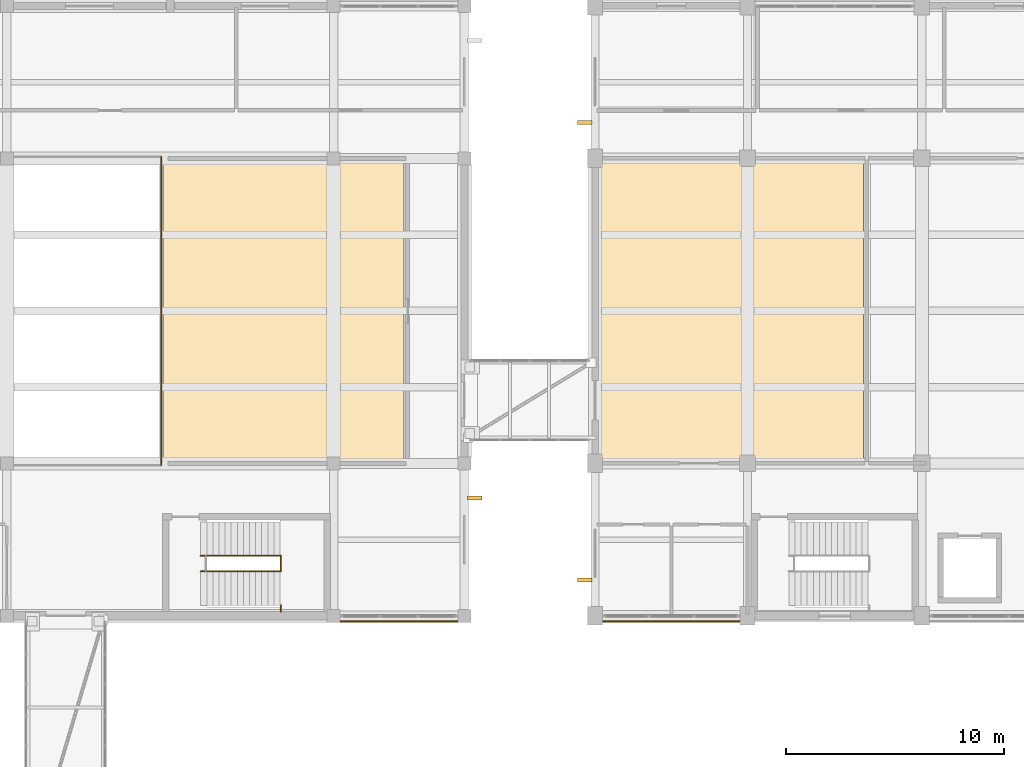
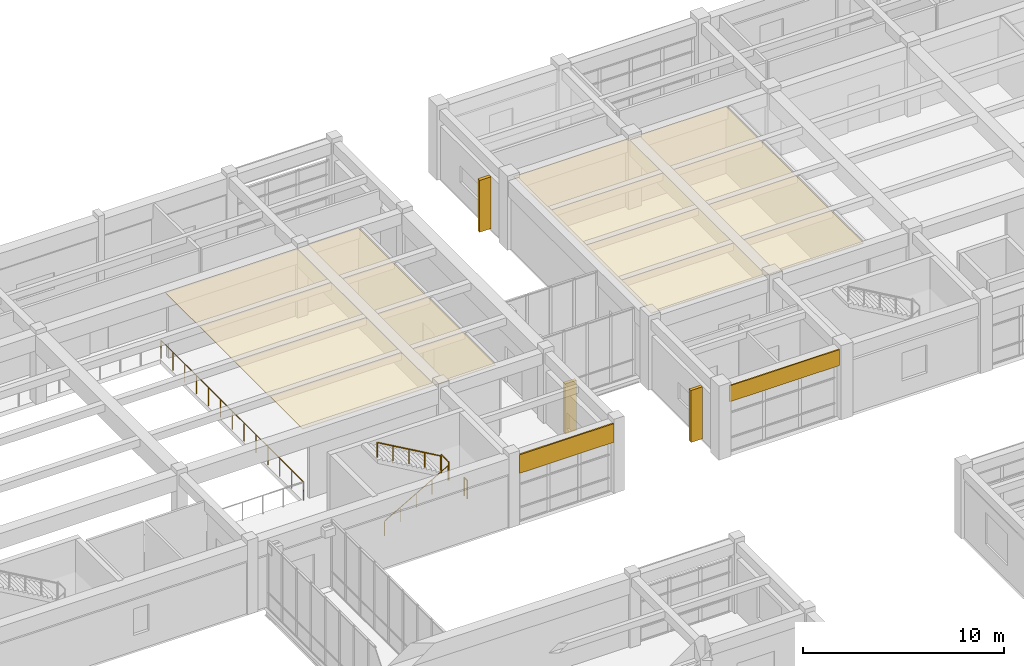
# One storey, part 64 of 72: 5 railings, 4 coverings, 3 shading devices.
"""IFC4 building model written with IfcOpenShell, lengths in metres."""

from ifc_helpers import new_model, si_unit, direction, frame, origin, origin_2d, place, context, subcontext, project, spatial, polyline, rectangle, circle, outline, extrude, material, layer, layer_set, type_object, element, save


model = new_model("IFC4")

# Units and contexts
model_context = context("Model", 3, precision=1e-05, world=origin(), true_north=direction((0.0, 1.0)))
body_context = subcontext(model_context, "Body", "Model", "MODEL_VIEW")
ifc_project = project(units=[si_unit("LENGTHUNIT", "METRE"), si_unit("AREAUNIT", "SQUARE_METRE"), si_unit("VOLUMEUNIT", "CUBIC_METRE"), si_unit("PLANEANGLEUNIT", "RADIAN"), si_unit("MASSUNIT", "GRAM", prefix="KILO")], contexts=[model_context])

# Site, building, storey
site_placement = place(None, origin())
site = spatial("IfcSite", under=ifc_project, at=site_placement, CompositionType="ELEMENT")
building_placement = place(site_placement, origin())
building = spatial("IfcBuilding", under=site, at=building_placement, Name="Naurynzar Civic Courthouse", CompositionType="ELEMENT")
storey_placement = place(building_placement, frame((0.0, 0.0, 9.89990234375)))
storey = spatial("IfcBuildingStorey", under=building, at=storey_placement, Name="L03", CompositionType="ELEMENT", Elevation=9.89990234375)

# Coverings
ifc_material_1 = material(Name="Acoustic Oak Timber Grade A", Category="wood")
ifc_layer_1 = layer(ifc_material_1, 0.044921875)
ifc_layer_set_1 = layer_set([ifc_layer_1], Name="CEIL-ACOUSTIC-OAK-45")
covering_type_1 = type_object("IfcCoveringType", Name="CEIL-ACOUSTIC-OAK-45", PredefinedType="CEILING", material=ifc_layer_set_1)
covering_1_placement = place(storey_placement, frame((0.0, 0.0, 4.114990234375)))
element("IfcCovering", 1, at=covering_1_placement, inside=storey, type_object=covering_type_1, Name="Acoustic suspended ceiling Civil Trial Courtroom 3A", PredefinedType="CEILING", context=body_context, shape_type="SweptSolid", body=[
    extrude(outline(polyline([(74.320068359375, 51.159912109375), (62.159912109375, 51.159912109375), (62.159912109375, 64.840087890625), (74.320068359375, 64.840087890625), (74.320068359375, 51.159912109375)])), origin(), (0.0, 0.0, 1.0), 0.045166015625),
])
ifc_material_2 = material(Name="Mineral Fibre Acoustic Ceiling")
ifc_layer_2 = layer(ifc_material_2, 0.030029296875)
ifc_layer_set_2 = layer_set([ifc_layer_2], Name="CEIL-MINERAL-30")
covering_type_2 = type_object("IfcCoveringType", Name="CEIL-MINERAL-30", PredefinedType="CEILING", material=ifc_layer_set_2)
covering_2_placement = place(storey_placement, frame((0.0, 0.0, 4.114990234375)))
element("IfcCovering", 2, at=covering_2_placement, inside=storey, type_object=covering_type_2, Name="Acoustic suspended ceiling Constitutional Seminar Hall", PredefinedType="CEILING", context=body_context, shape_type="SweptSolid", body=[
    extrude(outline(polyline([(42.159912109375, 64.840087890625), (53.239990234375, 64.840087890625), (53.239990234375, 51.159912109375), (42.159912109375, 51.159912109375), (42.159912109375, 64.840087890625)])), origin(), (0.0, 0.0, 1.0), 0.030029296875),
])
ifc_material_3 = material(Name="Precast concrete C40/50", Category="concrete")
ifc_layer_3 = layer(ifc_material_3, 0.080078125)
ifc_layer_set_3 = layer_set([ifc_layer_3], Name="COV-CLAD-PRECAST-80")
covering_type_3 = type_object("IfcCoveringType", Name="COV-CLAD-PRECAST-80", PredefinedType="CLADDING", material=ifc_layer_set_3)
covering_3_placement = place(storey_placement, frame((53.0, 43.7451171875, 3.110107421875), z_axis=(0.0, 0.0, 1.0), x_axis=(-1.0, 0.0, 0.0)))
element("IfcCovering", 3, at=covering_3_placement, inside=storey, type_object=covering_type_3, Name="V1 precast spandrel cladding 11", PredefinedType="CLADDING", context=body_context, shape_type="SweptSolid", body=[
    extrude(rectangle(XDim=5.39990234375, YDim=0.080078125, at=origin_2d()), origin(), (0.0, 0.0, 1.0), 1.1298828125),
])
covering_4_placement = place(storey_placement, frame((65.5, 43.7451171875, 3.22998046875), z_axis=(0.0, 0.0, 1.0), x_axis=(-1.0, 0.0, 0.0)))
element("IfcCovering", 4, at=covering_4_placement, inside=storey, type_object=covering_type_3, Name="V2 precast spandrel cladding 30", PredefinedType="CLADDING", context=body_context, shape_type="SweptSolid", body=[
    extrude(rectangle(XDim=6.300048828125, YDim=0.080078125, at=origin_2d()), origin(), (0.0, 0.0, 1.0), 0.969970703125),
])

# Railings
ifc_material_4 = material(Name="Brushed Stainless Steel 304", Category="steel")
railing_type_1 = type_object("IfcRailingType", Name="RAIL-BAL-1100", PredefinedType="BALUSTRADE", material=ifc_material_4)
railing_1_placement = place(storey_placement, frame((42.080078125, 50.919921875, 0.0)))
element("IfcRailing", 5, at=railing_1_placement, inside=storey, type_object=railing_type_1, Name="Atrium gallery balustrade guard GR-VOID-V1-L03.2", PredefinedType="BALUSTRADE", context=body_context, shape_type="SweptSolid", body=[
    extrude(circle(Radius=0.02392578125, at=origin_2d()), frame((0.0, 0.0, 1.09619140625), z_axis=(0.0, 1.0, 0.0), x_axis=(-1.0, 0.0, 0.0)), (0.0, 0.0, 1.0), 14.16015625),
    extrude(circle(Radius=0.02099609375, at=origin_2d()), origin(), (0.0, 0.0, 1.0), 1.072021484375),
    extrude(circle(Radius=0.02099609375, at=origin_2d()), frame((0.0, 1.179931640625, 0.0)), (0.0, 0.0, 1.0), 1.072021484375),
    extrude(circle(Radius=0.02099609375, at=origin_2d()), frame((0.0, 2.360107421875, 0.0)), (0.0, 0.0, 1.0), 1.072021484375),
    extrude(circle(Radius=0.02099609375, at=origin_2d()), frame((0.0, 3.5400390625, 0.0)), (0.0, 0.0, 1.0), 1.072021484375),
    extrude(circle(Radius=0.02099609375, at=origin_2d()), frame((0.0, 4.719970703125, 0.0)), (0.0, 0.0, 1.0), 1.072021484375),
    extrude(circle(Radius=0.02099609375, at=origin_2d()), frame((0.0, 5.900146484375, 0.0)), (0.0, 0.0, 1.0), 1.072021484375),
    extrude(circle(Radius=0.02099609375, at=origin_2d()), frame((0.0, 7.080078125, 0.0)), (0.0, 0.0, 1.0), 1.072021484375),
    extrude(circle(Radius=0.02099609375, at=origin_2d()), frame((0.0, 8.260009765625, 0.0)), (0.0, 0.0, 1.0), 1.072021484375),
    extrude(circle(Radius=0.02099609375, at=origin_2d()), frame((0.0, 9.440185546875, 0.0)), (0.0, 0.0, 1.0), 1.072021484375),
    extrude(circle(Radius=0.02099609375, at=origin_2d()), frame((0.0, 10.6201171875, 0.0)), (0.0, 0.0, 1.0), 1.072021484375),
    extrude(circle(Radius=0.02099609375, at=origin_2d()), frame((0.0, 11.800048828125, 0.0)), (0.0, 0.0, 1.0), 1.072021484375),
    extrude(circle(Radius=0.02099609375, at=origin_2d()), frame((0.0, 12.980224609375, 0.0)), (0.0, 0.0, 1.0), 1.072021484375),
    extrude(circle(Radius=0.02099609375, at=origin_2d()), frame((0.0, 14.16015625, 0.0)), (0.0, 0.0, 1.0), 1.072021484375),
])
railing_2_placement = place(storey_placement, frame((47.580078125, 46.0400390625, 2.25)))
element("IfcRailing", 6, at=railing_2_placement, inside=storey, type_object=railing_type_1, Name="Stair ST-V1B-L03 half-landing well guard", PredefinedType="BALUSTRADE", context=body_context, shape_type="SweptSolid", body=[
    extrude(circle(Radius=0.02392578125, at=origin_2d()), frame((0.0, 0.0, 1.09619140625), z_axis=(0.0, 1.0, 0.0), x_axis=(-1.0, 0.0, 0.0)), (0.0, 0.0, 1.0), 0.719970703125),
    extrude(circle(Radius=0.02099609375, at=origin_2d()), origin(), (0.0, 0.0, 1.0), 1.072021484375),
    extrude(circle(Radius=0.02099609375, at=origin_2d()), frame((0.0, 0.719970703125, 0.0)), (0.0, 0.0, 1.0), 1.072021484375),
])
railing_3_placement = place(storey_placement, frame((47.580078125, 44.195068359375, 2.25)))
element("IfcRailing", 7, at=railing_3_placement, inside=storey, type_object=railing_type_1, Name="Stair ST-V1B-L03 half-landing south slot guard", PredefinedType="BALUSTRADE", context=body_context, shape_type="SweptSolid", body=[
    extrude(circle(Radius=0.02392578125, at=origin_2d()), frame((0.0, 0.0, 1.09619140625), z_axis=(0.0, 1.0, 0.0), x_axis=(-1.0, 0.0, 0.0)), (0.0, 0.0, 1.0), 0.284912109375),
    extrude(circle(Radius=0.02099609375, at=origin_2d()), origin(), (0.0, 0.0, 1.0), 1.072021484375),
    extrude(circle(Radius=0.02099609375, at=origin_2d()), frame((0.0, 0.284912109375, 0.0)), (0.0, 0.0, 1.0), 1.072021484375),
])
ifc_material_5 = material(Name="Brushed Stainless Steel 304", Category="steel")
railing_type_2 = type_object("IfcRailingType", Name="RAIL-HR-900", PredefinedType="HANDRAIL", material=ifc_material_5)
railing_4_placement = place(storey_placement, frame((43.89990234375, 46.0400390625, 0.160888671875)))
element("IfcRailing", 8, at=railing_4_placement, inside=storey, type_object=railing_type_2, Name="Stair ST-V1B-L03 flight 1 handrail", PredefinedType="HANDRAIL", context=body_context, shape_type="SweptSolid", body=[
    extrude(circle(Radius=0.02392578125, at=origin_2d()), frame((0.0, 0.0, 0.8759765625), z_axis=(0.867314486057, 0.0, 0.497760567216), x_axis=(0.0, 1.0, 0.0)), (0.0, 0.0, 1.0), 4.197021484375),
    extrude(circle(Radius=0.02099609375, at=origin_2d()), origin(), (0.0, 0.0, 1.0), 0.851806640625),
    extrude(circle(Radius=0.02099609375, at=origin_2d()), frame((0.91015625, 0.0, 0.522216796875)), (0.0, 0.0, 1.0), 0.851806640625),
    extrude(circle(Radius=0.02099609375, at=origin_2d()), frame((1.820068359375, 0.0, 1.04443359375)), (0.0, 0.0, 1.0), 0.851806640625),
    extrude(circle(Radius=0.02099609375, at=origin_2d()), frame((2.72998046875, 0.0, 1.56689453125)), (0.0, 0.0, 1.0), 0.851806640625),
    extrude(circle(Radius=0.02099609375, at=origin_2d()), frame((3.64013671875, 0.0, 2.089111328125)), (0.0, 0.0, 1.0), 0.851806640625),
])
railing_5_placement = place(storey_placement, frame((47.5400390625, 46.760009765625, 2.410888671875)))
element("IfcRailing", 9, at=railing_5_placement, inside=storey, type_object=railing_type_2, Name="Stair ST-V1B-L03 flight 2 handrail", PredefinedType="HANDRAIL", context=body_context, shape_type="SweptSolid", body=[
    extrude(circle(Radius=0.02392578125, at=origin_2d()), frame((0.0, 0.0, 0.8759765625), z_axis=(-0.867314486057, 0.0, 0.497760567216), x_axis=(0.0, -1.0, 0.0)), (0.0, 0.0, 1.0), 4.197021484375),
    extrude(circle(Radius=0.02099609375, at=origin_2d()), origin(), (0.0, 0.0, 1.0), 0.851806640625),
    extrude(circle(Radius=0.02099609375, at=origin_2d()), frame((-0.91015625, 0.0, 0.522216796875)), (0.0, 0.0, 1.0), 0.851806640625),
    extrude(circle(Radius=0.02099609375, at=origin_2d()), frame((-1.820068359375, 0.0, 1.04443359375)), (0.0, 0.0, 1.0), 0.851806640625),
    extrude(circle(Radius=0.02099609375, at=origin_2d()), frame((-2.72998046875, 0.0, 1.56689453125)), (0.0, 0.0, 1.0), 0.851806640625),
    extrude(circle(Radius=0.02099609375, at=origin_2d()), frame((-3.64013671875, 0.0, 2.089111328125)), (0.0, 0.0, 1.0), 0.851806640625),
])

# Shading devices
ifc_material_6 = material(Name="Precast concrete C40/50", Category="concrete")
shading_device_type = type_object("IfcShadingDeviceType", Name="SHD-FIN-V650", PredefinedType="JALOUSIE", material=ifc_material_6)
shading_device_placement = place(storey_placement, frame((56.47998046875, 49.419921875, 0.0400390625), z_axis=(0.0, 0.0, 1.0), x_axis=(0.0, -1.0, 0.0)))
element("IfcShadingDevice", 10, at=shading_device_placement, inside=storey, type_object=shading_device_type, Name="V1 vertical brise-soleil fin 4", PredefinedType="JALOUSIE", context=body_context, shape_type="SweptSolid", body=[
    extrude(rectangle(XDim=0.179931640625, YDim=0.64990234375, at=origin_2d()), origin(), (0.0, 0.0, 1.0), 3.030029296875),
])
for number, where, z_axis, x_axis, name in (
    (11, (61.530029296875, 45.655029296875, 0.0400390625), (0.0, 0.0, 1.0), (0.0, 1.0, 0.0), "V2 vertical brise-soleil fin 12"),
    (12, (61.530029296875, 66.655029296875, 0.0400390625), (0.0, 0.0, 1.0), (0.0, 1.0, 0.0), "V2 vertical brise-soleil fin 13"),
):
    element("IfcShadingDevice", number, at=place(storey_placement, frame(where, z_axis=z_axis, x_axis=x_axis)), inside=storey, type_object=shading_device_type, Name=name, PredefinedType="JALOUSIE", context=body_context, shape_type="SweptSolid", body=[
        extrude(rectangle(XDim=0.179931640625, YDim=0.64990234375, at=origin_2d()), origin(), (0.0, 0.0, 1.0), 3.14990234375),
    ])

save(model, "model.ifc")
